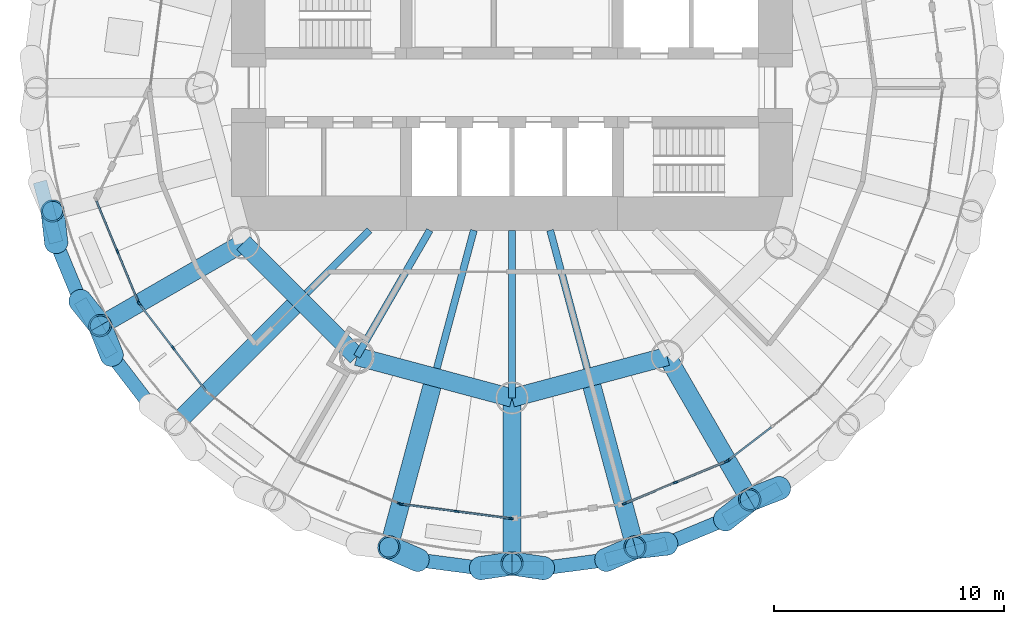
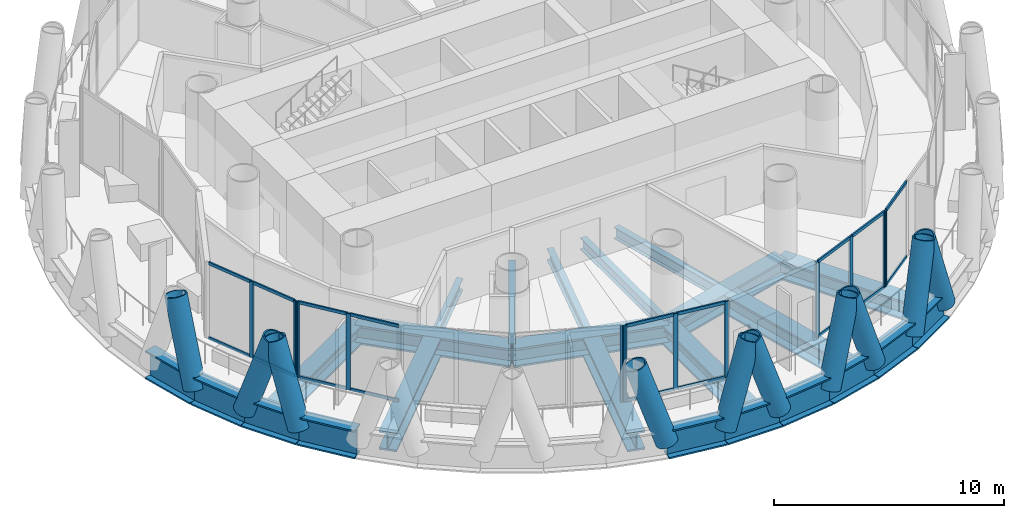
# One storey, part 2 of 15: 40 members, 24 beams, 6 elements without a shape of their own.
"""IFC4 building model written with IfcOpenShell, lengths in metres."""

from ifc_helpers import new_model, si_unit, direction, frame, origin, origin_2d, place, context, subcontext, project, spatial, rectangle, hollow_circle, i_section, extrude, material, material_profile, profile_set, type_object, element, aggregate, save


model = new_model("IFC4")

# Units and contexts
model_context = context("Model", 3, precision=1e-05, world=origin(), true_north=direction((0.0, 1.0)))
body_context = subcontext(model_context, "Body", "Model", "MODEL_VIEW")
ifc_project = project(units=[si_unit("LENGTHUNIT", "METRE"), si_unit("AREAUNIT", "SQUARE_METRE"), si_unit("VOLUMEUNIT", "CUBIC_METRE"), si_unit("PLANEANGLEUNIT", "RADIAN"), si_unit("MASSUNIT", "GRAM", prefix="KILO")], contexts=[model_context])

# Site, building, storey
site_placement = place(None, origin())
site = spatial("IfcSite", under=ifc_project, at=site_placement, CompositionType="ELEMENT")
building_placement = place(site_placement, origin())
building = spatial("IfcBuilding", under=site, at=building_placement, Name="Qaws Media Tower", CompositionType="ELEMENT")
storey_placement = place(building_placement, frame((0.0, 0.0, 273.800048828125)))
storey = spatial("IfcBuildingStorey", under=building, at=storey_placement, Name="L63", CompositionType="ELEMENT", Elevation=273.800048828125)

# Curtain wall, members
ifc_material_1 = material(Name="Aluminium and clear glass", Category="aluminium")
curtain_wall_type = type_object("IfcCurtainWallType", Name="Unitised curtain wall CW-D", PredefinedType="NOTDEFINED", material=ifc_material_1)
curtain_wall_1_placement = place(storey_placement, origin())
curtain_wall_1 = element("IfcCurtainWall", 1, at=curtain_wall_1_placement, inside=storey, type_object=curtain_wall_type, Name="CWD curtain wall L63-14", PredefinedType="NOTDEFINED")
ifc_material_2 = material(Name="Aluminium mullion", Category="aluminium")
ifc_material_profile_1 = material_profile(ifc_material_2, rectangle(XDim=0.080078125, YDim=0.199951171875, at=origin_2d()), Name="80x200")
ifc_profile_set_1 = profile_set([ifc_material_profile_1], Name="Aluminium mullion")
member_type_1 = type_object("IfcMemberType", Name="Curtain wall mullion 80x200", PredefinedType="MULLION", material=ifc_profile_set_1)
member_1_placement = place(storey_placement, frame((42.825439453125, 42.885986328125, 0.0), z_axis=(0.0, 0.0, 1.0), x_axis=(0.923879529739, 0.382683439057, 0.0)))
member_1 = element("IfcMember", 2, at=member_1_placement, type_object=member_type_1, Name="CWD mullion 2", PredefinedType="MULLION", context=body_context, shape_type="SweptSolid", body=[
    extrude(rectangle(XDim=0.080078125, YDim=0.199951171875, at=origin_2d()), origin(), (0.0, 0.0, 1.0), 4.0400390625),
])
member_2_placement = place(storey_placement, frame((43.746826171875, 40.661865234375, 0.0), z_axis=(0.0, 0.0, 1.0), x_axis=(0.923879529739, 0.382683439057, 0.0)))
member_2 = element("IfcMember", 3, at=member_2_placement, type_object=member_type_1, Name="CWD mullion 3", PredefinedType="MULLION", context=body_context, shape_type="SweptSolid", body=[
    extrude(rectangle(XDim=0.080078125, YDim=0.199951171875, at=origin_2d()), origin(), (0.0, 0.0, 1.0), 4.0400390625),
])

curtain_wall_2_placement = place(storey_placement, origin())
curtain_wall_2 = element("IfcCurtainWall", 4, at=curtain_wall_2_placement, inside=storey, type_object=curtain_wall_type, Name="CWD curtain wall L63-15", PredefinedType="NOTDEFINED")
member_3_placement = place(storey_placement, frame((43.786376953125, 40.59326171875, 0.0), z_axis=(0.0, 0.0, 1.0), x_axis=(0.793353346284, 0.608761421199, 0.0)))
member_3 = element("IfcMember", 5, at=member_3_placement, type_object=member_type_1, Name="CWD mullion 1", PredefinedType="MULLION", context=body_context, shape_type="SweptSolid", body=[
    extrude(rectangle(XDim=0.080078125, YDim=0.199951171875, at=origin_2d()), origin(), (0.0, 0.0, 1.0), 4.0400390625),
])
member_4_placement = place(storey_placement, frame((45.251953125, 38.683349609375, 0.0), z_axis=(0.0, 0.0, 1.0), x_axis=(0.793353346284, 0.608761421199, 0.0)))
member_4 = element("IfcMember", 6, at=member_4_placement, type_object=member_type_1, Name="CWD mullion 2", PredefinedType="MULLION", context=body_context, shape_type="SweptSolid", body=[
    extrude(rectangle(XDim=0.080078125, YDim=0.199951171875, at=origin_2d()), origin(), (0.0, 0.0, 1.0), 4.0400390625),
])

# Curtain wall, member
curtain_wall_3_placement = place(storey_placement, origin())
curtain_wall_3 = element("IfcCurtainWall", 7, at=curtain_wall_3_placement, inside=storey, type_object=curtain_wall_type, Name="CWD curtain wall L63-17", PredefinedType="NOTDEFINED")
member_5_placement = place(storey_placement, frame((55.110107421875, 31.904296875, 0.0), z_axis=(0.0, 0.0, 1.0), x_axis=(0.382683439057, 0.923879529739, 0.0)))
member_5 = element("IfcMember", 8, at=member_5_placement, type_object=member_type_1, Name="CWD mullion 3", PredefinedType="MULLION", context=body_context, shape_type="SweptSolid", body=[
    extrude(rectangle(XDim=0.080078125, YDim=0.199951171875, at=origin_2d()), origin(), (0.0, 0.0, 1.0), 4.0400390625),
])
aggregate(curtain_wall_3, [member_5])

# Curtain wall, members
curtain_wall_4_placement = place(storey_placement, origin())
curtain_wall_4 = element("IfcCurtainWall", 9, at=curtain_wall_4_placement, inside=storey, type_object=curtain_wall_type, Name="CWD curtain wall L63-18", PredefinedType="NOTDEFINED")
member_6_placement = place(storey_placement, frame((55.186767578125, 31.8837890625, 0.0), z_axis=(0.0, 0.0, 1.0), x_axis=(0.130526243526, 0.991444854619, 0.0)))
member_6 = element("IfcMember", 10, at=member_6_placement, type_object=member_type_1, Name="CWD mullion 1", PredefinedType="MULLION", context=body_context, shape_type="SweptSolid", body=[
    extrude(rectangle(XDim=0.080078125, YDim=0.199951171875, at=origin_2d()), origin(), (0.0, 0.0, 1.0), 4.0400390625),
])
member_7_placement = place(storey_placement, frame((57.573486328125, 31.5693359375, 0.0), z_axis=(0.0, 0.0, 1.0), x_axis=(0.130526243526, 0.991444854619, 0.0)))
member_7 = element("IfcMember", 11, at=member_7_placement, type_object=member_type_1, Name="CWD mullion 2", PredefinedType="MULLION", context=body_context, shape_type="SweptSolid", body=[
    extrude(rectangle(XDim=0.080078125, YDim=0.199951171875, at=origin_2d()), origin(), (0.0, 0.0, 1.0), 4.0400390625),
])
member_8_placement = place(storey_placement, frame((59.96044921875, 31.255126953125, 0.0), z_axis=(0.0, 0.0, 1.0), x_axis=(0.130526243526, 0.991444854619, 0.0)))
member_8 = element("IfcMember", 12, at=member_8_placement, type_object=member_type_1, Name="CWD mullion 3", PredefinedType="MULLION", context=body_context, shape_type="SweptSolid", body=[
    extrude(rectangle(XDim=0.080078125, YDim=0.199951171875, at=origin_2d()), origin(), (0.0, 0.0, 1.0), 4.0400390625),
])

curtain_wall_5_placement = place(storey_placement, origin())
curtain_wall_5 = element("IfcCurtainWall", 13, at=curtain_wall_5_placement, inside=storey, type_object=curtain_wall_type, Name="CWD curtain wall L63-20", PredefinedType="NOTDEFINED")
member_9_placement = place(storey_placement, frame((64.889892578125, 31.904296875, 0.0), z_axis=(0.0, 0.0, 1.0), x_axis=(-0.382683439057, 0.923879529739, 0.0)))
member_9 = element("IfcMember", 14, at=member_9_placement, type_object=member_type_1, Name="CWD mullion 1", PredefinedType="MULLION", context=body_context, shape_type="SweptSolid", body=[
    extrude(rectangle(XDim=0.080078125, YDim=0.199951171875, at=origin_2d()), origin(), (0.0, 0.0, 1.0), 4.0400390625),
])
member_10_placement = place(storey_placement, frame((67.114013671875, 32.825439453125, 0.0), z_axis=(0.0, 0.0, 1.0), x_axis=(-0.382683439057, 0.923879529739, 0.0)))
member_10 = element("IfcMember", 15, at=member_10_placement, type_object=member_type_1, Name="CWD mullion 2", PredefinedType="MULLION", context=body_context, shape_type="SweptSolid", body=[
    extrude(rectangle(XDim=0.080078125, YDim=0.199951171875, at=origin_2d()), origin(), (0.0, 0.0, 1.0), 4.0400390625),
])
member_11_placement = place(storey_placement, frame((69.338134765625, 33.746826171875, 0.0), z_axis=(0.0, 0.0, 1.0), x_axis=(-0.382683439057, 0.923879529739, 0.0)))
member_11 = element("IfcMember", 16, at=member_11_placement, type_object=member_type_1, Name="CWD mullion 3", PredefinedType="MULLION", context=body_context, shape_type="SweptSolid", body=[
    extrude(rectangle(XDim=0.080078125, YDim=0.199951171875, at=origin_2d()), origin(), (0.0, 0.0, 1.0), 4.0400390625),
])

# Curtain wall, member
curtain_wall_6_placement = place(storey_placement, origin())
curtain_wall_6 = element("IfcCurtainWall", 17, at=curtain_wall_6_placement, inside=storey, type_object=curtain_wall_type, Name="CWD curtain wall L63-21", PredefinedType="NOTDEFINED")
member_12_placement = place(storey_placement, frame((69.40673828125, 33.786376953125, 0.0), z_axis=(0.0, 0.0, 1.0), x_axis=(-0.608761421199, 0.793353346284, 0.0)))
member_12 = element("IfcMember", 18, at=member_12_placement, type_object=member_type_1, Name="CWD mullion 1", PredefinedType="MULLION", context=body_context, shape_type="SweptSolid", body=[
    extrude(rectangle(XDim=0.080078125, YDim=0.199951171875, at=origin_2d()), origin(), (0.0, 0.0, 1.0), 4.0400390625),
])

# Member
ifc_material_3 = material(Name="Aluminium transom", Category="aluminium")
ifc_material_profile_2 = material_profile(ifc_material_3, rectangle(XDim=0.080078125, YDim=0.159912109375, at=origin_2d()), Name="80x160")
ifc_profile_set_2 = profile_set([ifc_material_profile_2], Name="Aluminium transom")
member_type_2 = type_object("IfcMemberType", Name="Curtain wall transom 80x160", PredefinedType="USERDEFINED", material=ifc_profile_set_2)
member_13_placement = place(storey_placement, frame((41.91943359375, 45.0732421875, 0.0400390625), z_axis=(0.382685326691, -0.923878747853, 0.0), x_axis=(0.923878747853, 0.382685326691, 0.0)))
member_13 = element("IfcMember", 19, at=member_13_placement, type_object=member_type_2, Name="CWD transom 1.1", ObjectType="TRANSOM", PredefinedType="USERDEFINED", context=body_context, shape_type="SweptSolid", body=[
    extrude(rectangle(XDim=0.080078125, YDim=0.159912109375, at=origin_2d()), origin(), (0.0, 0.0, 1.0), 2.327392578125),
])

member_14_placement = place(storey_placement, frame((41.91943359375, 45.0732421875, 4.0), z_axis=(0.382685326691, -0.923878747853, 0.0), x_axis=(0.923878747853, 0.382685326691, 0.0)))
member_14 = element("IfcMember", 20, at=member_14_placement, type_object=member_type_2, Name="CWD transom 1.2", ObjectType="TRANSOM", PredefinedType="USERDEFINED", context=body_context, shape_type="SweptSolid", body=[
    extrude(rectangle(XDim=0.080078125, YDim=0.159912109375, at=origin_2d()), origin(), (0.0, 0.0, 1.0), 2.327392578125),
])

member_15_placement = place(storey_placement, frame((42.8408203125, 42.84912109375, 0.0400390625), z_axis=(0.382685326691, -0.923878747853, 0.0), x_axis=(0.923878747853, 0.382685326691, 0.0)))
member_15 = element("IfcMember", 21, at=member_15_placement, type_object=member_type_2, Name="CWD transom 2.1", ObjectType="TRANSOM", PredefinedType="USERDEFINED", context=body_context, shape_type="SweptSolid", body=[
    extrude(rectangle(XDim=0.080078125, YDim=0.159912109375, at=origin_2d()), origin(), (0.0, 0.0, 1.0), 2.327392578125),
])

member_16_placement = place(storey_placement, frame((42.8408203125, 42.84912109375, 4.0), z_axis=(0.382685326691, -0.923878747853, 0.0), x_axis=(0.923878747853, 0.382685326691, 0.0)))
member_16 = element("IfcMember", 22, at=member_16_placement, type_object=member_type_2, Name="CWD transom 2.2", ObjectType="TRANSOM", PredefinedType="USERDEFINED", context=body_context, shape_type="SweptSolid", body=[
    extrude(rectangle(XDim=0.080078125, YDim=0.159912109375, at=origin_2d()), origin(), (0.0, 0.0, 1.0), 2.327392578125),
])

aggregate(curtain_wall_1, [member_1, member_2, member_13, member_14, member_15, member_16])

member_17_placement = place(storey_placement, frame((43.810791015625, 40.5615234375, 0.0400390625), z_axis=(0.60874201656, -0.79336823561, 0.0), x_axis=(0.79336823561, 0.60874201656, 0.0)))
member_17 = element("IfcMember", 23, at=member_17_placement, type_object=member_type_2, Name="CWD transom 1.1", ObjectType="TRANSOM", PredefinedType="USERDEFINED", context=body_context, shape_type="SweptSolid", body=[
    extrude(rectangle(XDim=0.080078125, YDim=0.159912109375, at=origin_2d()), origin(), (0.0, 0.0, 1.0), 2.327392578125),
])

member_18_placement = place(storey_placement, frame((43.810791015625, 40.5615234375, 4.0), z_axis=(0.60874201656, -0.79336823561, 0.0), x_axis=(0.79336823561, 0.60874201656, 0.0)))
member_18 = element("IfcMember", 24, at=member_18_placement, type_object=member_type_2, Name="CWD transom 1.2", ObjectType="TRANSOM", PredefinedType="USERDEFINED", context=body_context, shape_type="SweptSolid", body=[
    extrude(rectangle(XDim=0.080078125, YDim=0.159912109375, at=origin_2d()), origin(), (0.0, 0.0, 1.0), 2.327392578125),
])

member_19_placement = place(storey_placement, frame((45.276123046875, 38.651611328125, 0.0400390625), z_axis=(0.608808038567, -0.793317573344, 0.0), x_axis=(0.793317573344, 0.608808038567, 0.0)))
member_19 = element("IfcMember", 25, at=member_19_placement, type_object=member_type_2, Name="CWD transom 2.1", ObjectType="TRANSOM", PredefinedType="USERDEFINED", context=body_context, shape_type="SweptSolid", body=[
    extrude(rectangle(XDim=0.080078125, YDim=0.159912109375, at=origin_2d()), origin(), (0.0, 0.0, 1.0), 2.327392578125),
])

member_20_placement = place(storey_placement, frame((45.276123046875, 38.651611328125, 4.0), z_axis=(0.608808038567, -0.793317573344, 0.0), x_axis=(0.793317573344, 0.608808038567, 0.0)))
member_20 = element("IfcMember", 26, at=member_20_placement, type_object=member_type_2, Name="CWD transom 2.2", ObjectType="TRANSOM", PredefinedType="USERDEFINED", context=body_context, shape_type="SweptSolid", body=[
    extrude(rectangle(XDim=0.080078125, YDim=0.159912109375, at=origin_2d()), origin(), (0.0, 0.0, 1.0), 2.327392578125),
])

aggregate(curtain_wall_2, [member_3, member_4, member_17, member_18, member_19, member_20])

member_21_placement = place(storey_placement, frame((55.2265625, 31.87841796875, 0.0400390625), z_axis=(0.991448224459, -0.130500644506, 0.0), x_axis=(0.130500644506, 0.991448224459, 0.0)))
member_21 = element("IfcMember", 27, at=member_21_placement, type_object=member_type_2, Name="CWD transom 1.1", ObjectType="TRANSOM", PredefinedType="USERDEFINED", context=body_context, shape_type="SweptSolid", body=[
    extrude(rectangle(XDim=0.080078125, YDim=0.159912109375, at=origin_2d()), origin(), (0.0, 0.0, 1.0), 2.327392578125),
])

member_22_placement = place(storey_placement, frame((55.2265625, 31.87841796875, 4.0), z_axis=(0.991448224459, -0.130500644506, 0.0), x_axis=(0.130500644506, 0.991448224459, 0.0)))
member_22 = element("IfcMember", 28, at=member_22_placement, type_object=member_type_2, Name="CWD transom 1.2", ObjectType="TRANSOM", PredefinedType="USERDEFINED", context=body_context, shape_type="SweptSolid", body=[
    extrude(rectangle(XDim=0.080078125, YDim=0.159912109375, at=origin_2d()), origin(), (0.0, 0.0, 1.0), 2.327392578125),
])

member_23_placement = place(storey_placement, frame((57.61328125, 31.564208984375, 0.0400390625), z_axis=(0.991448224459, -0.130500644506, 0.0), x_axis=(0.130500644506, 0.991448224459, 0.0)))
member_23 = element("IfcMember", 29, at=member_23_placement, type_object=member_type_2, Name="CWD transom 2.1", ObjectType="TRANSOM", PredefinedType="USERDEFINED", context=body_context, shape_type="SweptSolid", body=[
    extrude(rectangle(XDim=0.080078125, YDim=0.159912109375, at=origin_2d()), origin(), (0.0, 0.0, 1.0), 2.327392578125),
])

member_24_placement = place(storey_placement, frame((57.61328125, 31.564208984375, 4.0), z_axis=(0.991448224459, -0.130500644506, 0.0), x_axis=(0.130500644506, 0.991448224459, 0.0)))
member_24 = element("IfcMember", 30, at=member_24_placement, type_object=member_type_2, Name="CWD transom 2.2", ObjectType="TRANSOM", PredefinedType="USERDEFINED", context=body_context, shape_type="SweptSolid", body=[
    extrude(rectangle(XDim=0.080078125, YDim=0.159912109375, at=origin_2d()), origin(), (0.0, 0.0, 1.0), 2.327392578125),
])

aggregate(curtain_wall_4, [member_6, member_7, member_8, member_21, member_22, member_23, member_24])

member_25_placement = place(storey_placement, frame((64.9267578125, 31.91943359375, 0.0400390625), z_axis=(0.923878747853, 0.382685326691, 0.0), x_axis=(-0.382685326691, 0.923878747853, 0.0)))
member_25 = element("IfcMember", 31, at=member_25_placement, type_object=member_type_2, Name="CWD transom 1.1", ObjectType="TRANSOM", PredefinedType="USERDEFINED", context=body_context, shape_type="SweptSolid", body=[
    extrude(rectangle(XDim=0.080078125, YDim=0.159912109375, at=origin_2d()), origin(), (0.0, 0.0, 1.0), 2.327392578125),
])

member_26_placement = place(storey_placement, frame((64.9267578125, 31.91943359375, 4.0), z_axis=(0.923878747853, 0.382685326691, 0.0), x_axis=(-0.382685326691, 0.923878747853, 0.0)))
member_26 = element("IfcMember", 32, at=member_26_placement, type_object=member_type_2, Name="CWD transom 1.2", ObjectType="TRANSOM", PredefinedType="USERDEFINED", context=body_context, shape_type="SweptSolid", body=[
    extrude(rectangle(XDim=0.080078125, YDim=0.159912109375, at=origin_2d()), origin(), (0.0, 0.0, 1.0), 2.327392578125),
])

member_27_placement = place(storey_placement, frame((67.15087890625, 32.8408203125, 0.0400390625), z_axis=(0.923878747853, 0.382685326691, 0.0), x_axis=(-0.382685326691, 0.923878747853, 0.0)))
member_27 = element("IfcMember", 33, at=member_27_placement, type_object=member_type_2, Name="CWD transom 2.1", ObjectType="TRANSOM", PredefinedType="USERDEFINED", context=body_context, shape_type="SweptSolid", body=[
    extrude(rectangle(XDim=0.080078125, YDim=0.159912109375, at=origin_2d()), origin(), (0.0, 0.0, 1.0), 2.327392578125),
])

member_28_placement = place(storey_placement, frame((67.15087890625, 32.8408203125, 4.0), z_axis=(0.923878747853, 0.382685326691, 0.0), x_axis=(-0.382685326691, 0.923878747853, 0.0)))
member_28 = element("IfcMember", 34, at=member_28_placement, type_object=member_type_2, Name="CWD transom 2.2", ObjectType="TRANSOM", PredefinedType="USERDEFINED", context=body_context, shape_type="SweptSolid", body=[
    extrude(rectangle(XDim=0.080078125, YDim=0.159912109375, at=origin_2d()), origin(), (0.0, 0.0, 1.0), 2.327392578125),
])

aggregate(curtain_wall_5, [member_9, member_10, member_11, member_25, member_26, member_27, member_28])

member_29_placement = place(storey_placement, frame((69.4384765625, 33.810791015625, 0.0400390625), z_axis=(0.79336823561, 0.60874201656, 0.0), x_axis=(-0.60874201656, 0.79336823561, 0.0)))
member_29 = element("IfcMember", 35, at=member_29_placement, type_object=member_type_2, Name="CWD transom 1.1", ObjectType="TRANSOM", PredefinedType="USERDEFINED", context=body_context, shape_type="SweptSolid", body=[
    extrude(rectangle(XDim=0.080078125, YDim=0.159912109375, at=origin_2d()), origin(), (0.0, 0.0, 1.0), 2.327392578125),
])

member_30_placement = place(storey_placement, frame((69.4384765625, 33.810791015625, 4.0), z_axis=(0.79336823561, 0.60874201656, 0.0), x_axis=(-0.60874201656, 0.79336823561, 0.0)))
member_30 = element("IfcMember", 36, at=member_30_placement, type_object=member_type_2, Name="CWD transom 1.2", ObjectType="TRANSOM", PredefinedType="USERDEFINED", context=body_context, shape_type="SweptSolid", body=[
    extrude(rectangle(XDim=0.080078125, YDim=0.159912109375, at=origin_2d()), origin(), (0.0, 0.0, 1.0), 2.327392578125),
])

aggregate(curtain_wall_6, [member_12, member_29, member_30])

# Members
ifc_material_4 = material(Name="Steel S460", Category="steel")
ifc_material_profile_3 = material_profile(ifc_material_4, hollow_circle(Radius=0.508056640625, WallThickness=0.070068359375, at=origin_2d()), Name="CHS 1016x70")
ifc_profile_set_3 = profile_set([ifc_material_profile_3], Name="Steel S460")
member_type_3 = type_object("IfcMemberType", Name="Diagrid member CHS 1016x70", PredefinedType="USERDEFINED", material=ifc_profile_set_3)
for number, where, z_axis, x_axis, name in (
    (37, (41.21044921875, 40.734130859375, -0.91015625), (0.195076236088, -0.24514249136, 0.949658054798), (0.782482034389, 0.622673161344, 0.0), "DG3 diagrid L63 A14"),
    (38, (40.161865234375, 43.265869140625, -0.91015625), (-0.035383836907, 0.311223201998, 0.949677894143), (-0.993598962438, -0.112965046989, 0.0), "DG3 diagrid L63 B14"),
    (39, (42.580810546875, 38.36083984375, -0.91015625), (-0.114762390835, 0.291460040217, 0.949673964372), (-0.930468476148, -0.366371962483, 0.0), "DG3 diagrid L63 B15"),
    (40, (58.6298828125, 29.094970703125, -0.91015625), (0.309786928834, 0.046368677873, 0.949674683476), (-0.14803021814, 0.988982838333, 0.0), "DG3 diagrid L63 A18"),
    (41, (55.912841796875, 29.45263671875, -0.91015625), (-0.287261862438, 0.124973262214, 0.949664312334), (-0.398932282948, -0.916980388897, 0.0), "DG3 diagrid L63 B18"),
    (42, (64.087158203125, 29.45263671875, -0.91015625), (0.287261862438, 0.124973262214, 0.949664312334), (-0.398932282948, 0.916980388897, 0.0), "DG3 diagrid L63 A19"),
    (43, (61.3701171875, 29.094970703125, -0.91015625), (-0.309786928834, 0.046368677873, 0.949674683476), (-0.14803021814, -0.988982838333, 0.0), "DG3 diagrid L63 B19"),
    (44, (69.265869140625, 31.21044921875, -0.91015625), (0.24514249136, 0.195076236088, 0.949658054798), (-0.622673161344, 0.782482034389, 0.0), "DG3 diagrid L63 A20"),
    (45, (66.734130859375, 30.161865234375, -0.91015625), (-0.311223201998, -0.035383836907, 0.949677894143), (0.112965046989, -0.993598962438, 0.0), "DG3 diagrid L63 B20"),
    (46, (71.63916015625, 32.580810546875, -0.91015625), (-0.291460040217, -0.114762390835, 0.949673964372), (0.366371962483, -0.930468476148, 0.0), "DG3 diagrid L63 B21"),
):
    element("IfcMember", number, at=place(storey_placement, frame(where, z_axis=z_axis, x_axis=x_axis)), inside=storey, type_object=member_type_3, Name=name, ObjectType="DIAGRID", PredefinedType="USERDEFINED", context=body_context, shape_type="SweptSolid", body=[
        extrude(hollow_circle(Radius=0.508056640625, WallThickness=0.070068359375, at=origin_2d()), origin(), (0.0, 0.0, 1.0), 4.4228515625),
    ])

# Beams
ifc_material_5 = material(Name="Steel S460", Category="steel")
ifc_material_profile_4 = material_profile(ifc_material_5, i_section(OverallWidth=0.60009765625, OverallDepth=1.5, WebThickness=0.030029296875, FlangeThickness=0.080078125, at=origin_2d()), Name="PG 1500x600")
ifc_profile_set_4 = profile_set([ifc_material_profile_4], Name="Steel S460")
beam_type_1 = type_object("IfcBeamType", Name="Edge ring beam PG 1500x600", PredefinedType="BEAM", material=ifc_profile_set_4)
for number, where, z_axis, x_axis, name in (
    (47, (39.45263671875, 45.912841796875, -0.91015625), (0.258810305143, -0.965928168112, 0.0), (0.965928168112, 0.258810305143, 0.0), "RB5 edge ring beam L63-26"),
    (48, (40.161865234375, 43.265869140625, -0.91015625), (0.382653421457, -0.923891962865, 0.0), (0.923891962865, 0.382653421457, 0.0), "RB5 edge ring beam L63-27"),
):
    element("IfcBeam", number, at=place(storey_placement, frame(where, z_axis=z_axis, x_axis=x_axis)), inside=storey, type_object=beam_type_1, Name=name, PredefinedType="BEAM", context=body_context, shape_type="SweptSolid", body=[
        extrude(i_section(OverallWidth=0.60009765625, OverallDepth=1.5, WebThickness=0.030029296875, FlangeThickness=0.080078125, at=origin_2d()), origin(), (0.0, 0.0, 1.0), 2.740234375),
    ])
beam_1_placement = place(storey_placement, frame((41.21044921875, 40.734130859375, -0.91015625), z_axis=(0.500038620418, -0.866003105128, 0.0), x_axis=(0.866003105128, 0.500038620418, 0.0)))
element("IfcBeam", 49, at=beam_1_placement, inside=storey, type_object=beam_type_1, Name="RB5 edge ring beam L63-28", PredefinedType="BEAM", context=body_context, shape_type="SweptSolid", body=[
    extrude(i_section(OverallWidth=0.60009765625, OverallDepth=1.5, WebThickness=0.030029296875, FlangeThickness=0.080078125, at=origin_2d()), origin(), (0.0, 0.0, 1.0), 2.740478515625),
])
beam_2_placement = place(storey_placement, frame((42.580810546875, 38.36083984375, -0.91015625), z_axis=(0.608758803141, -0.793355355184, 0.0), x_axis=(0.793355355184, 0.608758803141, 0.0)))
element("IfcBeam", 50, at=beam_2_placement, inside=storey, type_object=beam_type_1, Name="RB5 edge ring beam L63-29", PredefinedType="BEAM", context=body_context, shape_type="SweptSolid", body=[
    extrude(i_section(OverallWidth=0.60009765625, OverallDepth=1.5, WebThickness=0.030029296875, FlangeThickness=0.080078125, at=origin_2d()), origin(), (0.0, 0.0, 1.0), 2.740234375),
])
beam_3_placement = place(storey_placement, frame((55.912841796875, 29.45263671875, -0.91015625), z_axis=(0.991446713306, -0.130512124629, 0.0), x_axis=(0.130512124629, 0.991446713306, 0.0)))
element("IfcBeam", 51, at=beam_3_placement, inside=storey, type_object=beam_type_1, Name="RB5 edge ring beam L63-35", PredefinedType="BEAM", context=body_context, shape_type="SweptSolid", body=[
    extrude(i_section(OverallWidth=0.60009765625, OverallDepth=1.5, WebThickness=0.030029296875, FlangeThickness=0.080078125, at=origin_2d()), origin(), (0.0, 0.0, 1.0), 2.740478515625),
])
beam_4_placement = place(storey_placement, frame((58.6298828125, 29.094970703125, -0.91015625), z_axis=(1.0, 0.0, 0.0), x_axis=(0.0, 1.0, 0.0)))
element("IfcBeam", 52, at=beam_4_placement, inside=storey, type_object=beam_type_1, Name="RB5 edge ring beam L63-36", PredefinedType="BEAM", context=body_context, shape_type="SweptSolid", body=[
    extrude(i_section(OverallWidth=0.60009765625, OverallDepth=1.5, WebThickness=0.030029296875, FlangeThickness=0.080078125, at=origin_2d()), origin(), (0.0, 0.0, 1.0), 2.740234375),
])
beam_5_placement = place(storey_placement, frame((61.3701171875, 29.094970703125, -0.91015625), z_axis=(0.991446713306, 0.130512124629, 0.0), x_axis=(-0.130512124629, 0.991446713306, 0.0)))
element("IfcBeam", 53, at=beam_5_placement, inside=storey, type_object=beam_type_1, Name="RB5 edge ring beam L63-37", PredefinedType="BEAM", context=body_context, shape_type="SweptSolid", body=[
    extrude(i_section(OverallWidth=0.60009765625, OverallDepth=1.5, WebThickness=0.030029296875, FlangeThickness=0.080078125, at=origin_2d()), origin(), (0.0, 0.0, 1.0), 2.740478515625),
])
for number, where, z_axis, x_axis, name in (
    (54, (64.087158203125, 29.45263671875, -0.91015625), (0.965928168112, 0.258810305143, 0.0), (-0.258810305143, 0.965928168112, 0.0), "RB5 edge ring beam L63-38"),
    (55, (66.734130859375, 30.161865234375, -0.91015625), (0.923891962865, 0.382653421457, 0.0), (-0.382653421457, 0.923891962865, 0.0), "RB5 edge ring beam L63-39"),
):
    element("IfcBeam", number, at=place(storey_placement, frame(where, z_axis=z_axis, x_axis=x_axis)), inside=storey, type_object=beam_type_1, Name=name, PredefinedType="BEAM", context=body_context, shape_type="SweptSolid", body=[
        extrude(i_section(OverallWidth=0.60009765625, OverallDepth=1.5, WebThickness=0.030029296875, FlangeThickness=0.080078125, at=origin_2d()), origin(), (0.0, 0.0, 1.0), 2.740234375),
    ])
beam_6_placement = place(storey_placement, frame((69.265869140625, 31.21044921875, -0.91015625), z_axis=(0.866003105128, 0.500038620418, 0.0), x_axis=(-0.500038620418, 0.866003105128, 0.0)))
element("IfcBeam", 56, at=beam_6_placement, inside=storey, type_object=beam_type_1, Name="RB5 edge ring beam L63-40", PredefinedType="BEAM", context=body_context, shape_type="SweptSolid", body=[
    extrude(i_section(OverallWidth=0.60009765625, OverallDepth=1.5, WebThickness=0.030029296875, FlangeThickness=0.080078125, at=origin_2d()), origin(), (0.0, 0.0, 1.0), 2.740478515625),
])
ifc_material_6 = material(Name="Steel S460", Category="steel")
ifc_material_profile_5 = material_profile(ifc_material_6, i_section(OverallWidth=0.800048828125, OverallDepth=1.0, WebThickness=0.0400390625, FlangeThickness=0.10009765625, at=origin_2d()), Name="PG 1000x800")
ifc_profile_set_5 = profile_set([ifc_material_profile_5], Name="Steel S460")
beam_type_2 = type_object("IfcBeamType", Name="Inner ring girder PG 1000x800", PredefinedType="BEAM", material=ifc_profile_set_5)
beam_7_placement = place(storey_placement, frame((48.30859375, 43.25, -0.66015625), z_axis=(0.707106781187, -0.707106781187, 0.0), x_axis=(0.707106781187, 0.707106781187, 0.0)))
element("IfcBeam", 57, at=beam_7_placement, inside=storey, type_object=beam_type_2, Name="B3 inner ring beam L63 I08-I09", PredefinedType="BEAM", context=body_context, shape_type="SweptSolid", body=[
    extrude(i_section(OverallWidth=0.800048828125, OverallDepth=1.0, WebThickness=0.0400390625, FlangeThickness=0.10009765625, at=origin_2d()), origin(), (0.0, 0.0, 1.0), 6.98828125),
])
for number, where, z_axis, x_axis, name in (
    (58, (53.25, 38.30859375, -0.66015625), (0.965928090778, -0.258810593767, 0.0), (0.258810593767, 0.965928090778, 0.0), "B3 inner ring beam L63 I09-I10"),
    (59, (60.0, 36.5, -0.66015625), (0.965928090778, 0.258810593767, 0.0), (-0.258810593767, 0.965928090778, 0.0), "B3 inner ring beam L63 I10-I11"),
):
    element("IfcBeam", number, at=place(storey_placement, frame(where, z_axis=z_axis, x_axis=x_axis)), inside=storey, type_object=beam_type_2, Name=name, PredefinedType="BEAM", context=body_context, shape_type="SweptSolid", body=[
        extrude(i_section(OverallWidth=0.800048828125, OverallDepth=1.0, WebThickness=0.0400390625, FlangeThickness=0.10009765625, at=origin_2d()), origin(), (0.0, 0.0, 1.0), 6.988037109375),
    ])
ifc_material_7 = material(Name="Steel S355", Category="steel")
ifc_material_profile_6 = material_profile(ifc_material_7, i_section(OverallWidth=0.304931640625, OverallDepth=0.6201171875, WebThickness=0.02099609375, FlangeThickness=0.0400390625, FilletRadius=0.027099609375, at=origin_2d()), Name="HE 600 M")
ifc_profile_set_6 = profile_set([ifc_material_profile_6], Name="Steel S355")
beam_type_3 = type_object("IfcBeamType", Name="Radial beam HE 600 M, core side", PredefinedType="BEAM", material=ifc_profile_set_6)
beam_8_placement = place(storey_placement, frame((53.800048828125, 43.800048828125, -0.469970703125), z_axis=(-0.707106781187, -0.707106781187, 0.0), x_axis=(0.707106781187, -0.707106781187, 0.0)))
element("IfcBeam", 60, at=beam_8_placement, inside=storey, type_object=beam_type_3, Name="B2 radial beam L63 16", PredefinedType="BEAM", context=body_context, shape_type="SweptSolid", body=[
    extrude(i_section(OverallWidth=0.304931640625, OverallDepth=0.6201171875, WebThickness=0.02099609375, FlangeThickness=0.0400390625, FilletRadius=0.027099609375, at=origin_2d()), origin(), (0.0, 0.0, 1.0), 3.871826171875),
])
beam_9_placement = place(storey_placement, frame((56.42041015625, 43.800048828125, -0.469970703125), z_axis=(-0.499990193304, -0.866031065609, 0.0), x_axis=(0.866031065609, -0.499990193304, 0.0)))
element("IfcBeam", 61, at=beam_9_placement, inside=storey, type_object=beam_type_3, Name="B2 radial beam L63 17", PredefinedType="BEAM", context=body_context, shape_type="SweptSolid", body=[
    extrude(i_section(OverallWidth=0.304931640625, OverallDepth=0.6201171875, WebThickness=0.02099609375, FlangeThickness=0.0400390625, FilletRadius=0.027099609375, at=origin_2d()), origin(), (0.0, 0.0, 1.0), 6.341064453125),
])
beam_10_placement = place(storey_placement, frame((58.338623046875, 43.800048828125, -0.469970703125), z_axis=(-0.258808008719, -0.965928783412, 0.0), x_axis=(0.965928783412, -0.258808008719, 0.0)))
element("IfcBeam", 62, at=beam_10_placement, inside=storey, type_object=beam_type_3, Name="B2 radial beam L63 18", PredefinedType="BEAM", context=body_context, shape_type="SweptSolid", body=[
    extrude(i_section(OverallWidth=0.304931640625, OverallDepth=0.6201171875, WebThickness=0.02099609375, FlangeThickness=0.0400390625, FilletRadius=0.027099609375, at=origin_2d()), origin(), (0.0, 0.0, 1.0), 6.22119140625),
])
beam_11_placement = place(storey_placement, frame((60.0, 43.800048828125, -0.469970703125), z_axis=(0.0, -1.0, 0.0), x_axis=(1.0, 0.0, 0.0)))
element("IfcBeam", 63, at=beam_11_placement, inside=storey, type_object=beam_type_3, Name="B2 radial beam L63 19", PredefinedType="BEAM", context=body_context, shape_type="SweptSolid", body=[
    extrude(i_section(OverallWidth=0.304931640625, OverallDepth=0.6201171875, WebThickness=0.02099609375, FlangeThickness=0.0400390625, FilletRadius=0.027099609375, at=origin_2d()), origin(), (0.0, 0.0, 1.0), 7.300048828125),
])
beam_12_placement = place(storey_placement, frame((61.661376953125, 43.800048828125, -0.469970703125), z_axis=(0.258808008719, -0.965928783412, 0.0), x_axis=(0.965928783412, 0.258808008719, 0.0)))
element("IfcBeam", 64, at=beam_12_placement, inside=storey, type_object=beam_type_3, Name="B2 radial beam L63 20", PredefinedType="BEAM", context=body_context, shape_type="SweptSolid", body=[
    extrude(i_section(OverallWidth=0.304931640625, OverallDepth=0.6201171875, WebThickness=0.02099609375, FlangeThickness=0.0400390625, FilletRadius=0.027099609375, at=origin_2d()), origin(), (0.0, 0.0, 1.0), 6.22119140625),
])
ifc_material_8 = material(Name="Steel S460", Category="steel")
ifc_material_profile_7 = material_profile(ifc_material_8, i_section(OverallWidth=0.800048828125, OverallDepth=1.0, WebThickness=0.0400390625, FlangeThickness=0.10009765625, at=origin_2d()), Name="PG 1000x800")
ifc_profile_set_7 = profile_set([ifc_material_profile_7], Name="Steel S460")
beam_type_4 = type_object("IfcBeamType", Name="Radial girder PG 1000x800", PredefinedType="BEAM", material=ifc_profile_set_7)
beam_13_placement = place(storey_placement, frame((48.30859375, 43.25, -0.66015625), z_axis=(-0.866023074965, -0.500004033612, 0.0), x_axis=(0.500004033612, -0.866023074965, 0.0)))
element("IfcBeam", 65, at=beam_13_placement, inside=storey, type_object=beam_type_4, Name="B1 radial beam L63 15", PredefinedType="BEAM", context=body_context, shape_type="SweptSolid", body=[
    extrude(i_section(OverallWidth=0.800048828125, OverallDepth=1.0, WebThickness=0.0400390625, FlangeThickness=0.10009765625, at=origin_2d()), origin(), (0.0, 0.0, 1.0), 7.4052734375),
])
for number, where, z_axis, x_axis, name in (
    (66, (50.49658203125, 40.49658203125, -0.66015625), (-0.707106781187, -0.707106781187, 0.0), (0.707106781187, -0.707106781187, 0.0), "B1 radial beam L63 16"),
    (67, (56.521484375, 37.01806640625, -0.66015625), (-0.25881454913, -0.96592703097, 0.0), (0.96592703097, -0.25881454913, 0.0), "B1 radial beam L63 18"),
):
    element("IfcBeam", number, at=place(storey_placement, frame(where, z_axis=z_axis, x_axis=x_axis)), inside=storey, type_object=beam_type_4, Name=name, PredefinedType="BEAM", context=body_context, shape_type="SweptSolid", body=[
        extrude(i_section(OverallWidth=0.800048828125, OverallDepth=1.0, WebThickness=0.0400390625, FlangeThickness=0.10009765625, at=origin_2d()), origin(), (0.0, 0.0, 1.0), 7.46533203125),
    ])
beam_14_placement = place(storey_placement, frame((60.0, 36.5, -0.66015625), z_axis=(0.0, -1.0, 0.0), x_axis=(1.0, 0.0, 0.0)))
element("IfcBeam", 68, at=beam_14_placement, inside=storey, type_object=beam_type_4, Name="B1 radial beam L63 19", PredefinedType="BEAM", context=body_context, shape_type="SweptSolid", body=[
    extrude(i_section(OverallWidth=0.800048828125, OverallDepth=1.0, WebThickness=0.0400390625, FlangeThickness=0.10009765625, at=origin_2d()), origin(), (0.0, 0.0, 1.0), 7.405029296875),
])
beam_15_placement = place(storey_placement, frame((63.478515625, 37.01806640625, -0.66015625), z_axis=(0.25881454913, -0.96592703097, 0.0), x_axis=(0.96592703097, 0.25881454913, 0.0)))
element("IfcBeam", 69, at=beam_15_placement, inside=storey, type_object=beam_type_4, Name="B1 radial beam L63 20", PredefinedType="BEAM", context=body_context, shape_type="SweptSolid", body=[
    extrude(i_section(OverallWidth=0.800048828125, OverallDepth=1.0, WebThickness=0.0400390625, FlangeThickness=0.10009765625, at=origin_2d()), origin(), (0.0, 0.0, 1.0), 7.46533203125),
])
beam_16_placement = place(storey_placement, frame((66.75, 38.30859375, -0.66015625), z_axis=(0.500004033612, -0.866023074965, 0.0), x_axis=(0.866023074965, 0.500004033612, 0.0)))
element("IfcBeam", 70, at=beam_16_placement, inside=storey, type_object=beam_type_4, Name="B1 radial beam L63 21", PredefinedType="BEAM", context=body_context, shape_type="SweptSolid", body=[
    extrude(i_section(OverallWidth=0.800048828125, OverallDepth=1.0, WebThickness=0.0400390625, FlangeThickness=0.10009765625, at=origin_2d()), origin(), (0.0, 0.0, 1.0), 7.4052734375),
])

save(model, "model.ifc")
